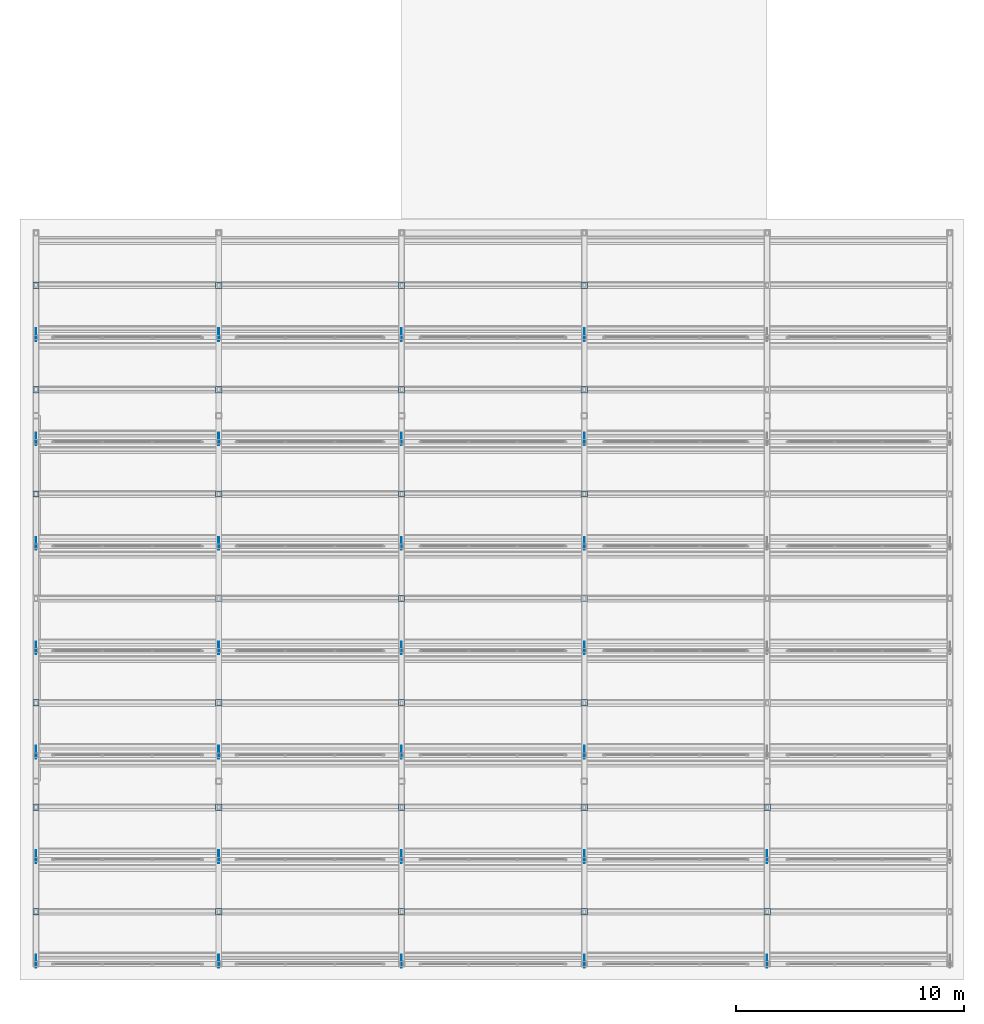
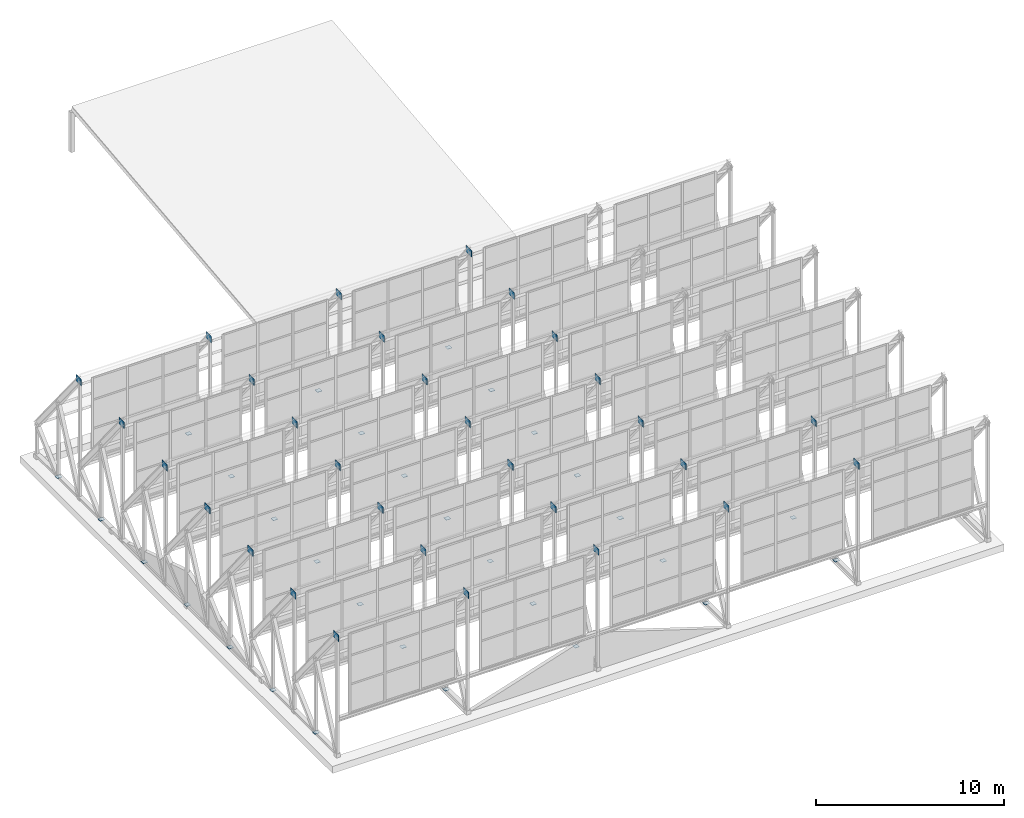
# One storey, part 31 of 34: 60 plates.
"""IFC4 building model written with IfcOpenShell, lengths in metres."""

import ifcopenshell
import ifcopenshell.guid

model = None  # the IFC model being written
_history = None  # IfcOwnerHistory: only IFC2X3 demands one
_inside = {}  # id of a spatial element -> (the spatial element, [elements in it])
_under = {}  # id of a project, library or spatial element -> (it, [spatial elements below it])
_declared = {}  # id of a project -> (the project, [libraries it declares])
_typed = {}  # id of a type object -> (the type object, [elements of that type])
_made_of = {}  # id of a material, layer set ... -> (it, [elements and type objects made of it])


def new_model(schema):
    """Start an empty IFC model of exactly this schema.

    Asked for "IFC4X3", IfcOpenShell would pick the latest addendum, in which some entities
    have other attributes; the version numbers below select the first issue.
    IFC2X3 requires an IfcOwnerHistory on every rooted entity: one is made here for all.
    """
    global model, _history
    if schema == "IFC4X3":
        model = ifcopenshell.file(schema_version=(4, 3, 0, 0))
    else:
        model = ifcopenshell.file(schema=schema)
    _inside.clear()
    _under.clear()
    _declared.clear()
    _typed.clear()
    _made_of.clear()
    _history = None
    if model.schema == "IFC2X3":
        org = make("IfcOrganization", Name="unknown")
        user = make(
            "IfcPersonAndOrganization",
            ThePerson=make("IfcPerson", FamilyName="unknown"),
            TheOrganization=org,
        )
        app = make(
            "IfcApplication",
            ApplicationDeveloper=org,
            Version="unknown",
            ApplicationFullName="unknown",
            ApplicationIdentifier="unknown",
        )
        _history = make(
            "IfcOwnerHistory",
            OwningUser=user,
            OwningApplication=app,
            ChangeAction="ADDED",
            CreationDate=0,
        )
    return model


def make(cls, **values):
    """One entity of the class cls with the attributes given. An attribute that is None is left unset."""
    return model.create_entity(
        cls, **{name: value for name, value in values.items() if value is not None}
    )


def rooted(cls, **values):
    """An entity with a GlobalId (a new one), such as an element, a storey or a relation."""
    return make(cls, GlobalId=ifcopenshell.guid.new(), OwnerHistory=_history, **values)


def si_unit(unit_type, name, prefix=None):
    """IfcSIUnit, for example si_unit("LENGTHUNIT", "METRE", prefix="MILLI")."""
    return make("IfcSIUnit", UnitType=unit_type, Prefix=prefix, Name=name)


def assignment(units):
    """IfcUnitAssignment: the units of a project."""
    return None if units is None else make("IfcUnitAssignment", Units=units)


def point(xyz):
    """IfcCartesianPoint."""
    return None if xyz is None else make("IfcCartesianPoint", Coordinates=xyz)


def direction(xyz):
    """IfcDirection."""
    return None if xyz is None else make("IfcDirection", DirectionRatios=xyz)


def frame(location, z_axis=None, x_axis=None):
    """IfcAxis2Placement3D, a coordinate frame: its origin and axes. An axis left out is left unset."""
    return make(
        "IfcAxis2Placement3D",
        Location=point(location),
        Axis=direction(z_axis),
        RefDirection=direction(x_axis),
    )


def frame_2d(location, x_axis=None):
    """IfcAxis2Placement2D, a coordinate frame in the plane: its origin and x axis."""
    return make(
        "IfcAxis2Placement2D", Location=point(location), RefDirection=direction(x_axis)
    )


def origin():
    """The frame at (0, 0, 0) with its axes left unset."""
    return frame((0.0, 0.0, 0.0))


def origin_2d():
    """The frame at (0, 0) in the plane with its x axis left unset."""
    return frame_2d((0.0, 0.0))


def place(relative_to, where):
    """IfcLocalPlacement: puts the frame where relative to a parent placement (None: the world)."""
    return make(
        "IfcLocalPlacement", PlacementRelTo=relative_to, RelativePlacement=where
    )


def context(
    kind, dimensions, precision=None, world=None, true_north=None, identifier=None
):
    """IfcGeometricRepresentationContext, for example the 3D "Model" context."""
    return make(
        "IfcGeometricRepresentationContext",
        ContextIdentifier=identifier,
        ContextType=kind,
        CoordinateSpaceDimension=dimensions,
        Precision=precision,
        WorldCoordinateSystem=world,
        TrueNorth=true_north,
    )


def subcontext(parent, identifier, kind, view, scale=None):
    """IfcGeometricRepresentationSubContext, for example "Body" below "Model"."""
    return make(
        "IfcGeometricRepresentationSubContext",
        ContextIdentifier=identifier,
        ContextType=kind,
        ParentContext=parent,
        TargetScale=scale,
        TargetView=view,
    )


def project(units=None, contexts=None):
    """IfcProject with its units and contexts."""
    return rooted(
        "IfcProject",
        Name="project",
        RepresentationContexts=contexts,
        UnitsInContext=assignment(units),
    )


def spatial(cls, under=None, at=None, **own):
    """A site, building, storey or space (cls), placed at a placement, below another one or the project."""
    s = rooted(cls, ObjectPlacement=at, **own)
    if under is not None:
        _under.setdefault(under.id(), (under, []))[1].append(s)
    return s


def profile(cls, at=None, kind="AREA", **sizes):
    """A parametric profile (cls). Its sizes go by their IFC names, for example OverallWidth=200.0."""
    return make(cls, ProfileType=kind, Position=at, **sizes)


def rectangle(**sizes):
    """IfcRectangleProfileDef."""
    return profile("IfcRectangleProfileDef", **sizes)


def extrude(swept, where, along, depth):
    """IfcExtrudedAreaSolid: the profile swept, set in the frame where, extruded along a direction by depth."""
    return make(
        "IfcExtrudedAreaSolid",
        SweptArea=swept,
        Position=where,
        ExtrudedDirection=direction(along),
        Depth=depth,
    )


def shape(context_of_items, identifier, shape_type, items):
    """IfcShapeRepresentation: the items that make up one representation, for example the "Body"."""
    return make(
        "IfcShapeRepresentation",
        ContextOfItems=context_of_items,
        RepresentationIdentifier=identifier,
        RepresentationType=shape_type,
        Items=items,
    )


def material(Name=None, Category=None):
    """IfcMaterial."""
    return make("IfcMaterial", Name=Name, Category=Category)


def layer(
    of_material, thickness, ventilated=None, Name=None, Category=None, Priority=None
):
    """IfcMaterialLayer: one layer of a wall or slab, of a material (None: an air gap)."""
    return make(
        "IfcMaterialLayer",
        Material=of_material,
        LayerThickness=thickness,
        IsVentilated=ventilated,
        Name=Name,
        Category=Category,
        Priority=Priority,
    )


def layer_set(layers, Name=None):
    """IfcMaterialLayerSet."""
    return make("IfcMaterialLayerSet", MaterialLayers=layers, LayerSetName=Name)


def made_of(thing, what):
    """Note that an element or type object is made of a material, layer set ...; save() writes the relation."""
    if what is not None:
        _made_of.setdefault(what.id(), (what, []))[1].append(thing)
    return thing


def type_object(cls, material=None, **own):
    """A type object (cls), such as IfcWallType, which elements share."""
    return made_of(rooted(cls, **own), material)


def element(
    cls,
    number,
    at=None,
    inside=None,
    cuts=None,
    type_object=None,
    material=None,
    context=None,
    identifier="Body",
    shape_type=None,
    held_by="IfcProductDefinitionShape",
    body=None,
    shapes=None,
    **own,
):
    """One element of the class cls, such as IfcWall. Its Tag is "e" and its number.

    at: its placement. inside: the storey or other place that contains it. cuts: it is an
    opening in that element (IfcRelVoidsElement). A single representation is given by context,
    identifier, shape_type and body (its items); several are given by shapes. held_by: the class
    of the entity that holds the representations. save() writes the other relations.
    """
    e = rooted(cls, Tag="e%d" % number, ObjectPlacement=at, **own)
    if body is not None:
        shapes = [shape(context, identifier, shape_type, body)]
    if shapes is not None:
        e.Representation = make(held_by, Representations=shapes)
    if inside is not None:
        _inside.setdefault(inside.id(), (inside, []))[1].append(e)
    if cuts is not None:
        rooted(
            "IfcRelVoidsElement", RelatingBuildingElement=cuts, RelatedOpeningElement=e
        )
    if type_object is not None:
        _typed.setdefault(type_object.id(), (type_object, []))[1].append(e)
    return made_of(e, material)


def aggregate(whole, parts):
    """IfcRelAggregates: a whole, such as a stair, and the parts it consists of."""
    return rooted("IfcRelAggregates", RelatingObject=whole, RelatedObjects=parts)


def save(model, path):
    """Write the relations noted so far, then the file.

    IfcRelAggregates (storeys below a building ...), IfcRelContainedInSpatialStructure (elements
    in a storey), IfcRelDefinesByType, IfcRelAssociatesMaterial and IfcRelDeclares: one each for
    every whole, place, type object, material and project.
    """
    for whole, parts in _under.values():
        aggregate(whole, parts)
    for where, things in _inside.values():
        rooted(
            "IfcRelContainedInSpatialStructure",
            RelatedElements=things,
            RelatingStructure=where,
        )
    for kind, things in _typed.values():
        rooted("IfcRelDefinesByType", RelatedObjects=things, RelatingType=kind)
    for what, things in _made_of.values():
        rooted("IfcRelAssociatesMaterial", RelatedObjects=things, RelatingMaterial=what)
    for by, libraries in _declared.values():
        rooted("IfcRelDeclares", RelatingContext=by, RelatedDefinitions=libraries)
    model.write(path)


model = new_model("IFC4")

# Units and contexts
model_context = context("Model", 3, precision=1e-05, world=origin(), true_north=direction((0.0, 1.0)))
body_context = subcontext(model_context, "Body", "Model", "MODEL_VIEW")
ifc_project = project(units=[si_unit("LENGTHUNIT", "METRE"), si_unit("AREAUNIT", "SQUARE_METRE"), si_unit("VOLUMEUNIT", "CUBIC_METRE"), si_unit("PLANEANGLEUNIT", "RADIAN"), si_unit("MASSUNIT", "GRAM", prefix="KILO")], contexts=[model_context])

# Site, building, storey
site_placement = place(None, origin())
site = spatial("IfcSite", under=ifc_project, at=site_placement, CompositionType="ELEMENT")
building_placement = place(site_placement, origin())
building = spatial("IfcBuilding", under=site, at=building_placement, Name="Qorikala Patio Media Centre", CompositionType="ELEMENT")
storey_placement = place(building_placement, frame((0.0, 0.0, 32.699951171875)))
storey = spatial("IfcBuildingStorey", under=building, at=storey_placement, Name="RF", CompositionType="ELEMENT", Elevation=32.699951171875)

# Plates
ifc_material_1 = material(Name="Steel S355", Category="steel")
ifc_layer_1 = layer(ifc_material_1, 0.02392578125)
ifc_layer_set_1 = layer_set([ifc_layer_1], Name="Steel S355")
plate_type_1 = type_object("IfcPlateType", Name="PL-ND-01", PredefinedType="USERDEFINED", material=ifc_layer_set_1)
for number, where, z_axis, x_axis, name in (
    (1, (3.0, 16.834228515625, 7.739990234375), (0.0, 0.0, 1.0), (1.0, 0.0, 0.0), "SAW-V1 Node Gusset Plate ND-01"),
    (2, (11.0, 3.1201171875, 7.739990234375), (0.0, 0.0, 1.0), (1.0, 0.0, 0.0), "SAW-V1 Node Gusset Plate ND-01"),
    (3, (11.0, 21.40576171875, 7.739990234375), (0.0, 0.0, 1.0), (1.0, 0.0, 0.0), "SAW-V1 Node Gusset Plate ND-01"),
    (4, (19.0, 7.69140625, 7.739990234375), (0.0, 0.0, 1.0), (1.0, 0.0, 0.0), "SAW-V1 Node Gusset Plate ND-01"),
    (5, (19.0, 25.97705078125, 7.739990234375), (0.0, 0.0, 1.0), (1.0, 0.0, 0.0), "SAW-V1 Node Gusset Plate ND-01"),
    (6, (27.0, 12.262939453125, 7.739990234375), (0.0, 0.0, 1.0), (1.0, 0.0, 0.0), "SAW-V1 Node Gusset Plate ND-01"),
    (7, (27.0, 30.548583984375, 7.739990234375), (0.0, 0.0, 1.0), (1.0, 0.0, 0.0), "SAW-V1 Node Gusset Plate ND-01"),
):
    element("IfcPlate", number, at=place(storey_placement, frame(where, z_axis=z_axis, x_axis=x_axis)), inside=storey, type_object=plate_type_1, Name=name, ObjectType="GUSSET PLATE", PredefinedType="USERDEFINED", context=body_context, shape_type="SweptSolid", body=[
        extrude(rectangle(XDim=0.02392578125, YDim=0.56005859375, at=origin_2d()), origin(), (0.0, 0.0, 1.0), 0.419921875),
    ])
ifc_layer_2 = layer(ifc_material_1, 0.02392578125)
ifc_layer_set_2 = layer_set([ifc_layer_2], Name="Steel S355")
plate_type_2 = type_object("IfcPlateType", Name="PL-ND-02", PredefinedType="USERDEFINED", material=ifc_layer_set_2)
for number, where, z_axis, x_axis, name in (
    (8, (3.0, 3.1201171875, 7.739990234375), (0.0, 0.0, 1.0), (1.0, 0.0, 0.0), "SAW-V1 Node Gusset Plate ND-02"),
    (9, (3.0, 21.40576171875, 7.739990234375), (0.0, 0.0, 1.0), (1.0, 0.0, 0.0), "SAW-V1 Node Gusset Plate ND-02"),
    (10, (11.0, 7.69140625, 7.739990234375), (0.0, 0.0, 1.0), (1.0, 0.0, 0.0), "SAW-V1 Node Gusset Plate ND-02"),
    (11, (11.0, 25.97705078125, 7.739990234375), (0.0, 0.0, 1.0), (1.0, 0.0, 0.0), "SAW-V1 Node Gusset Plate ND-02"),
    (12, (19.0, 12.262939453125, 7.739990234375), (0.0, 0.0, 1.0), (1.0, 0.0, 0.0), "SAW-V1 Node Gusset Plate ND-02"),
    (13, (19.0, 30.548583984375, 7.739990234375), (0.0, 0.0, 1.0), (1.0, 0.0, 0.0), "SAW-V1 Node Gusset Plate ND-02"),
    (14, (27.0, 16.834228515625, 7.739990234375), (0.0, 0.0, 1.0), (1.0, 0.0, 0.0), "SAW-V1 Node Gusset Plate ND-02"),
    (15, (35.0, 3.1201171875, 7.739990234375), (0.0, 0.0, 1.0), (1.0, 0.0, 0.0), "SAW-V1 Node Gusset Plate ND-02"),
):
    element("IfcPlate", number, at=place(storey_placement, frame(where, z_axis=z_axis, x_axis=x_axis)), inside=storey, type_object=plate_type_2, Name=name, ObjectType="GUSSET PLATE", PredefinedType="USERDEFINED", context=body_context, shape_type="SweptSolid", body=[
        extrude(rectangle(XDim=0.02392578125, YDim=0.56005859375, at=origin_2d()), origin(), (0.0, 0.0, 1.0), 0.419921875),
    ])
ifc_layer_3 = layer(ifc_material_1, 0.02001953125)
ifc_layer_set_3 = layer_set([ifc_layer_3], Name="Steel S355")
plate_type_3 = type_object("IfcPlateType", Name="PL-ND-03", PredefinedType="USERDEFINED", material=ifc_layer_set_3)
for number, where, z_axis, x_axis, name in (
    (16, (3.0, 7.69140625, 7.739990234375), (0.0, 0.0, 1.0), (1.0, 0.0, 0.0), "SAW-V1 Node Gusset Plate ND-03"),
    (17, (3.0, 25.97705078125, 7.739990234375), (0.0, 0.0, 1.0), (1.0, 0.0, 0.0), "SAW-V1 Node Gusset Plate ND-03"),
    (18, (11.0, 12.262939453125, 7.739990234375), (0.0, 0.0, 1.0), (1.0, 0.0, 0.0), "SAW-V1 Node Gusset Plate ND-03"),
    (19, (11.0, 30.548583984375, 7.739990234375), (0.0, 0.0, 1.0), (1.0, 0.0, 0.0), "SAW-V1 Node Gusset Plate ND-03"),
    (20, (19.0, 16.834228515625, 7.739990234375), (0.0, 0.0, 1.0), (1.0, 0.0, 0.0), "SAW-V1 Node Gusset Plate ND-03"),
    (21, (27.0, 3.1201171875, 7.739990234375), (0.0, 0.0, 1.0), (1.0, 0.0, 0.0), "SAW-V1 Node Gusset Plate ND-03"),
    (22, (27.0, 21.40576171875, 7.739990234375), (0.0, 0.0, 1.0), (1.0, 0.0, 0.0), "SAW-V1 Node Gusset Plate ND-03"),
    (23, (35.0, 7.69140625, 7.739990234375), (0.0, 0.0, 1.0), (1.0, 0.0, 0.0), "SAW-V1 Node Gusset Plate ND-03"),
):
    element("IfcPlate", number, at=place(storey_placement, frame(where, z_axis=z_axis, x_axis=x_axis)), inside=storey, type_object=plate_type_3, Name=name, ObjectType="GUSSET PLATE", PredefinedType="USERDEFINED", context=body_context, shape_type="SweptSolid", body=[
        extrude(rectangle(XDim=0.02392578125, YDim=0.56005859375, at=origin_2d()), origin(), (0.0, 0.0, 1.0), 0.419921875),
    ])
ifc_layer_4 = layer(ifc_material_1, 0.02001953125)
ifc_layer_set_4 = layer_set([ifc_layer_4], Name="Steel S355")
plate_type_4 = type_object("IfcPlateType", Name="PL-ND-04", PredefinedType="USERDEFINED", material=ifc_layer_set_4)
for number, where, z_axis, x_axis, name in (
    (24, (3.0, 12.262939453125, 7.739990234375), (0.0, 0.0, 1.0), (1.0, 0.0, 0.0), "SAW-V1 Node Gusset Plate ND-04"),
    (25, (3.0, 30.548583984375, 7.739990234375), (0.0, 0.0, 1.0), (1.0, 0.0, 0.0), "SAW-V1 Node Gusset Plate ND-04"),
    (26, (11.0, 16.834228515625, 7.739990234375), (0.0, 0.0, 1.0), (1.0, 0.0, 0.0), "SAW-V1 Node Gusset Plate ND-04"),
    (27, (19.0, 3.1201171875, 7.739990234375), (0.0, 0.0, 1.0), (1.0, 0.0, 0.0), "SAW-V1 Node Gusset Plate ND-04"),
    (28, (19.0, 21.40576171875, 7.739990234375), (0.0, 0.0, 1.0), (1.0, 0.0, 0.0), "SAW-V1 Node Gusset Plate ND-04"),
    (29, (27.0, 7.69140625, 7.739990234375), (0.0, 0.0, 1.0), (1.0, 0.0, 0.0), "SAW-V1 Node Gusset Plate ND-04"),
    (30, (27.0, 25.97705078125, 7.739990234375), (0.0, 0.0, 1.0), (1.0, 0.0, 0.0), "SAW-V1 Node Gusset Plate ND-04"),
):
    element("IfcPlate", number, at=place(storey_placement, frame(where, z_axis=z_axis, x_axis=x_axis)), inside=storey, type_object=plate_type_4, Name=name, ObjectType="GUSSET PLATE", PredefinedType="USERDEFINED", context=body_context, shape_type="SweptSolid", body=[
        extrude(rectangle(XDim=0.02392578125, YDim=0.56005859375, at=origin_2d()), origin(), (0.0, 0.0, 1.0), 0.419921875),
    ])
ifc_layer_5 = layer(ifc_material_1, 0.01611328125)
ifc_layer_set_5 = layer_set([ifc_layer_5], Name="Steel S355")
plate_type_5 = type_object("IfcPlateType", Name="PL-ND-05", PredefinedType="SHEET", material=ifc_layer_set_5)
for number, where, z_axis, x_axis, name in (
    (31, (3.0, 19.0, 0.362060546875), (0.0, 0.0, 1.0), (1.0, 0.0, 0.0), "SAW-V1 Hollow Strut End Cap Plate ND-05"),
    (32, (11.0, 5.28564453125, 0.362060546875), (0.0, 0.0, 1.0), (1.0, 0.0, 0.0), "SAW-V1 Hollow Strut End Cap Plate ND-05"),
    (33, (11.0, 23.5712890625, 0.362060546875), (0.0, 0.0, 1.0), (1.0, 0.0, 0.0), "SAW-V1 Hollow Strut End Cap Plate ND-05"),
    (34, (19.0, 9.857177734375, 0.362060546875), (0.0, 0.0, 1.0), (1.0, 0.0, 0.0), "SAW-V1 Hollow Strut End Cap Plate ND-05"),
    (35, (19.0, 28.142822265625, 0.362060546875), (0.0, 0.0, 1.0), (1.0, 0.0, 0.0), "SAW-V1 Hollow Strut End Cap Plate ND-05"),
    (36, (27.0, 14.4287109375, 0.362060546875), (0.0, 0.0, 1.0), (1.0, 0.0, 0.0), "SAW-V1 Hollow Strut End Cap Plate ND-05"),
    (37, (27.0, 32.71435546875, 0.362060546875), (0.0, 0.0, 1.0), (1.0, 0.0, 0.0), "SAW-V1 Hollow Strut End Cap Plate ND-05"),
):
    element("IfcPlate", number, at=place(storey_placement, frame(where, z_axis=z_axis, x_axis=x_axis)), inside=storey, type_object=plate_type_5, Name=name, PredefinedType="SHEET", context=body_context, shape_type="SweptSolid", body=[
        extrude(rectangle(XDim=0.280029296875, YDim=0.280029296875, at=origin_2d()), origin(), (0.0, 0.0, 1.0), 0.01611328125),
    ])
ifc_material_2 = material(Name="Golden Bronze Coated Steel S355", Category="steel")
ifc_layer_6 = layer(ifc_material_2, 0.01611328125)
ifc_layer_set_6 = layer_set([ifc_layer_6], Name="Golden Bronze Coated Steel S355")
plate_type_6 = type_object("IfcPlateType", Name="PL-ND-06", PredefinedType="SHEET", material=ifc_layer_set_6)
for number, where, z_axis, x_axis, name in (
    (38, (3.0, 5.28564453125, 0.362060546875), (0.0, 0.0, 1.0), (1.0, 0.0, 0.0), "SAW-V1 Hollow Strut End Cap Plate ND-06"),
    (39, (3.0, 23.5712890625, 0.362060546875), (0.0, 0.0, 1.0), (1.0, 0.0, 0.0), "SAW-V1 Hollow Strut End Cap Plate ND-06"),
    (40, (11.0, 9.857177734375, 0.362060546875), (0.0, 0.0, 1.0), (1.0, 0.0, 0.0), "SAW-V1 Hollow Strut End Cap Plate ND-06"),
    (41, (11.0, 28.142822265625, 0.362060546875), (0.0, 0.0, 1.0), (1.0, 0.0, 0.0), "SAW-V1 Hollow Strut End Cap Plate ND-06"),
    (42, (19.0, 14.4287109375, 0.362060546875), (0.0, 0.0, 1.0), (1.0, 0.0, 0.0), "SAW-V1 Hollow Strut End Cap Plate ND-06"),
    (43, (19.0, 32.71435546875, 0.362060546875), (0.0, 0.0, 1.0), (1.0, 0.0, 0.0), "SAW-V1 Hollow Strut End Cap Plate ND-06"),
    (44, (27.0, 19.0, 0.362060546875), (0.0, 0.0, 1.0), (1.0, 0.0, 0.0), "SAW-V1 Hollow Strut End Cap Plate ND-06"),
    (45, (35.0, 5.28564453125, 0.362060546875), (0.0, 0.0, 1.0), (1.0, 0.0, 0.0), "SAW-V1 Hollow Strut End Cap Plate ND-06"),
):
    element("IfcPlate", number, at=place(storey_placement, frame(where, z_axis=z_axis, x_axis=x_axis)), inside=storey, type_object=plate_type_6, Name=name, PredefinedType="SHEET", context=body_context, shape_type="SweptSolid", body=[
        extrude(rectangle(XDim=0.280029296875, YDim=0.280029296875, at=origin_2d()), origin(), (0.0, 0.0, 1.0), 0.01611328125),
    ])
ifc_layer_7 = layer(ifc_material_1, 0.013916015625)
ifc_layer_set_7 = layer_set([ifc_layer_7], Name="Steel S355")
plate_type_7 = type_object("IfcPlateType", Name="PL-ND-07", PredefinedType="SHEET", material=ifc_layer_set_7)
for number, where, z_axis, x_axis, name in (
    (46, (3.0, 9.857177734375, 0.362060546875), (0.0, 0.0, 1.0), (1.0, 0.0, 0.0), "SAW-V1 Hollow Strut End Cap Plate ND-07"),
    (47, (3.0, 28.142822265625, 0.362060546875), (0.0, 0.0, 1.0), (1.0, 0.0, 0.0), "SAW-V1 Hollow Strut End Cap Plate ND-07"),
    (48, (11.0, 14.4287109375, 0.362060546875), (0.0, 0.0, 1.0), (1.0, 0.0, 0.0), "SAW-V1 Hollow Strut End Cap Plate ND-07"),
    (49, (11.0, 32.71435546875, 0.362060546875), (0.0, 0.0, 1.0), (1.0, 0.0, 0.0), "SAW-V1 Hollow Strut End Cap Plate ND-07"),
    (50, (19.0, 19.0, 0.362060546875), (0.0, 0.0, 1.0), (1.0, 0.0, 0.0), "SAW-V1 Hollow Strut End Cap Plate ND-07"),
    (51, (27.0, 5.28564453125, 0.362060546875), (0.0, 0.0, 1.0), (1.0, 0.0, 0.0), "SAW-V1 Hollow Strut End Cap Plate ND-07"),
    (52, (27.0, 23.5712890625, 0.362060546875), (0.0, 0.0, 1.0), (1.0, 0.0, 0.0), "SAW-V1 Hollow Strut End Cap Plate ND-07"),
    (53, (35.0, 9.857177734375, 0.362060546875), (0.0, 0.0, 1.0), (1.0, 0.0, 0.0), "SAW-V1 Hollow Strut End Cap Plate ND-07"),
):
    element("IfcPlate", number, at=place(storey_placement, frame(where, z_axis=z_axis, x_axis=x_axis)), inside=storey, type_object=plate_type_7, Name=name, PredefinedType="SHEET", context=body_context, shape_type="SweptSolid", body=[
        extrude(rectangle(XDim=0.280029296875, YDim=0.280029296875, at=origin_2d()), origin(), (0.0, 0.0, 1.0), 0.01611328125),
    ])
ifc_layer_8 = layer(ifc_material_1, 0.011962890625)
ifc_layer_set_8 = layer_set([ifc_layer_8], Name="Steel S355")
plate_type_8 = type_object("IfcPlateType", Name="PL-ND-08", PredefinedType="SHEET", material=ifc_layer_set_8)
for number, where, z_axis, x_axis, name in (
    (54, (3.0, 14.4287109375, 0.362060546875), (0.0, 0.0, 1.0), (1.0, 0.0, 0.0), "SAW-V1 Hollow Strut End Cap Plate ND-08"),
    (55, (3.0, 32.71435546875, 0.362060546875), (0.0, 0.0, 1.0), (1.0, 0.0, 0.0), "SAW-V1 Hollow Strut End Cap Plate ND-08"),
    (56, (11.0, 19.0, 0.362060546875), (0.0, 0.0, 1.0), (1.0, 0.0, 0.0), "SAW-V1 Hollow Strut End Cap Plate ND-08"),
    (57, (19.0, 5.28564453125, 0.362060546875), (0.0, 0.0, 1.0), (1.0, 0.0, 0.0), "SAW-V1 Hollow Strut End Cap Plate ND-08"),
    (58, (19.0, 23.5712890625, 0.362060546875), (0.0, 0.0, 1.0), (1.0, 0.0, 0.0), "SAW-V1 Hollow Strut End Cap Plate ND-08"),
    (59, (27.0, 9.857177734375, 0.362060546875), (0.0, 0.0, 1.0), (1.0, 0.0, 0.0), "SAW-V1 Hollow Strut End Cap Plate ND-08"),
    (60, (27.0, 28.142822265625, 0.362060546875), (0.0, 0.0, 1.0), (1.0, 0.0, 0.0), "SAW-V1 Hollow Strut End Cap Plate ND-08"),
):
    element("IfcPlate", number, at=place(storey_placement, frame(where, z_axis=z_axis, x_axis=x_axis)), inside=storey, type_object=plate_type_8, Name=name, PredefinedType="SHEET", context=body_context, shape_type="SweptSolid", body=[
        extrude(rectangle(XDim=0.280029296875, YDim=0.280029296875, at=origin_2d()), origin(), (0.0, 0.0, 1.0), 0.01611328125),
    ])

save(model, "model.ifc")
